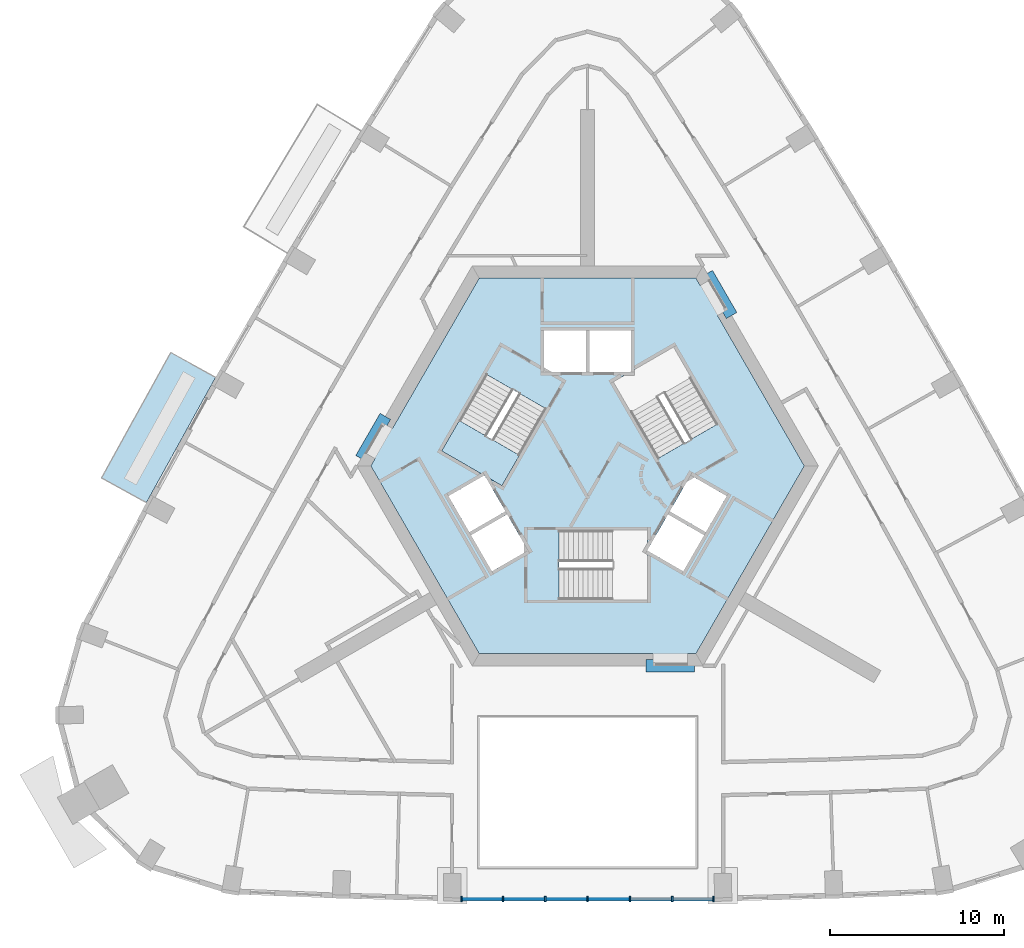
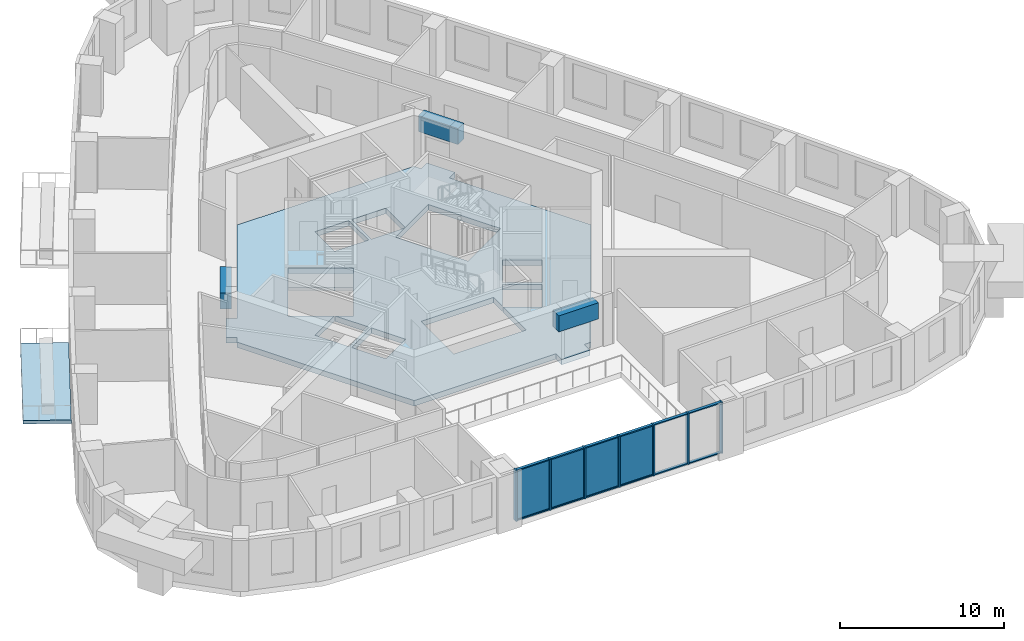
# One storey, part 2 of 13: 19 members, 4 plates, 3 beams, 3 slabs, 2 elements without a shape of their own.
"""IFC4 building model written with IfcOpenShell, lengths in metres."""

import ifcopenshell
import ifcopenshell.guid

model = None  # the IFC model being written
_history = None  # IfcOwnerHistory: only IFC2X3 demands one
_inside = {}  # id of a spatial element -> (the spatial element, [elements in it])
_under = {}  # id of a project, library or spatial element -> (it, [spatial elements below it])
_declared = {}  # id of a project -> (the project, [libraries it declares])
_typed = {}  # id of a type object -> (the type object, [elements of that type])
_made_of = {}  # id of a material, layer set ... -> (it, [elements and type objects made of it])


def new_model(schema):
    """Start an empty IFC model of exactly this schema.

    Asked for "IFC4X3", IfcOpenShell would pick the latest addendum, in which some entities
    have other attributes; the version numbers below select the first issue.
    IFC2X3 requires an IfcOwnerHistory on every rooted entity: one is made here for all.
    """
    global model, _history
    if schema == "IFC4X3":
        model = ifcopenshell.file(schema_version=(4, 3, 0, 0))
    else:
        model = ifcopenshell.file(schema=schema)
    _inside.clear()
    _under.clear()
    _declared.clear()
    _typed.clear()
    _made_of.clear()
    _history = None
    if model.schema == "IFC2X3":
        org = make("IfcOrganization", Name="unknown")
        user = make(
            "IfcPersonAndOrganization",
            ThePerson=make("IfcPerson", FamilyName="unknown"),
            TheOrganization=org,
        )
        app = make(
            "IfcApplication",
            ApplicationDeveloper=org,
            Version="unknown",
            ApplicationFullName="unknown",
            ApplicationIdentifier="unknown",
        )
        _history = make(
            "IfcOwnerHistory",
            OwningUser=user,
            OwningApplication=app,
            ChangeAction="ADDED",
            CreationDate=0,
        )
    return model


def make(cls, **values):
    """One entity of the class cls with the attributes given. An attribute that is None is left unset."""
    return model.create_entity(
        cls, **{name: value for name, value in values.items() if value is not None}
    )


def rooted(cls, **values):
    """An entity with a GlobalId (a new one), such as an element, a storey or a relation."""
    return make(cls, GlobalId=ifcopenshell.guid.new(), OwnerHistory=_history, **values)


def si_unit(unit_type, name, prefix=None):
    """IfcSIUnit, for example si_unit("LENGTHUNIT", "METRE", prefix="MILLI")."""
    return make("IfcSIUnit", UnitType=unit_type, Prefix=prefix, Name=name)


def assignment(units):
    """IfcUnitAssignment: the units of a project."""
    return None if units is None else make("IfcUnitAssignment", Units=units)


def point(xyz):
    """IfcCartesianPoint."""
    return None if xyz is None else make("IfcCartesianPoint", Coordinates=xyz)


def direction(xyz):
    """IfcDirection."""
    return None if xyz is None else make("IfcDirection", DirectionRatios=xyz)


def frame(location, z_axis=None, x_axis=None):
    """IfcAxis2Placement3D, a coordinate frame: its origin and axes. An axis left out is left unset."""
    return make(
        "IfcAxis2Placement3D",
        Location=point(location),
        Axis=direction(z_axis),
        RefDirection=direction(x_axis),
    )


def frame_2d(location, x_axis=None):
    """IfcAxis2Placement2D, a coordinate frame in the plane: its origin and x axis."""
    return make(
        "IfcAxis2Placement2D", Location=point(location), RefDirection=direction(x_axis)
    )


def origin():
    """The frame at (0, 0, 0) with its axes left unset."""
    return frame((0.0, 0.0, 0.0))


def origin_2d():
    """The frame at (0, 0) in the plane with its x axis left unset."""
    return frame_2d((0.0, 0.0))


def place(relative_to, where):
    """IfcLocalPlacement: puts the frame where relative to a parent placement (None: the world)."""
    return make(
        "IfcLocalPlacement", PlacementRelTo=relative_to, RelativePlacement=where
    )


def context(
    kind, dimensions, precision=None, world=None, true_north=None, identifier=None
):
    """IfcGeometricRepresentationContext, for example the 3D "Model" context."""
    return make(
        "IfcGeometricRepresentationContext",
        ContextIdentifier=identifier,
        ContextType=kind,
        CoordinateSpaceDimension=dimensions,
        Precision=precision,
        WorldCoordinateSystem=world,
        TrueNorth=true_north,
    )


def subcontext(parent, identifier, kind, view, scale=None):
    """IfcGeometricRepresentationSubContext, for example "Body" below "Model"."""
    return make(
        "IfcGeometricRepresentationSubContext",
        ContextIdentifier=identifier,
        ContextType=kind,
        ParentContext=parent,
        TargetScale=scale,
        TargetView=view,
    )


def project(units=None, contexts=None):
    """IfcProject with its units and contexts."""
    return rooted(
        "IfcProject",
        Name="project",
        RepresentationContexts=contexts,
        UnitsInContext=assignment(units),
    )


def spatial(cls, under=None, at=None, **own):
    """A site, building, storey or space (cls), placed at a placement, below another one or the project."""
    s = rooted(cls, ObjectPlacement=at, **own)
    if under is not None:
        _under.setdefault(under.id(), (under, []))[1].append(s)
    return s


def polyline(points):
    """IfcPolyline through the points."""
    return make("IfcPolyline", Points=[point(p) for p in points])


def profile(cls, at=None, kind="AREA", **sizes):
    """A parametric profile (cls). Its sizes go by their IFC names, for example OverallWidth=200.0."""
    return make(cls, ProfileType=kind, Position=at, **sizes)


def rectangle(**sizes):
    """IfcRectangleProfileDef."""
    return profile("IfcRectangleProfileDef", **sizes)


def outline(outer, holes=None, kind="AREA"):
    """IfcArbitraryClosedProfileDef: a profile drawn as a closed curve; with holes, ...WithVoids."""
    if holes is None:
        return make("IfcArbitraryClosedProfileDef", ProfileType=kind, OuterCurve=outer)
    return make(
        "IfcArbitraryProfileDefWithVoids",
        ProfileType=kind,
        OuterCurve=outer,
        InnerCurves=holes,
    )


def extrude(swept, where, along, depth):
    """IfcExtrudedAreaSolid: the profile swept, set in the frame where, extruded along a direction by depth."""
    return make(
        "IfcExtrudedAreaSolid",
        SweptArea=swept,
        Position=where,
        ExtrudedDirection=direction(along),
        Depth=depth,
    )


def shape(context_of_items, identifier, shape_type, items):
    """IfcShapeRepresentation: the items that make up one representation, for example the "Body"."""
    return make(
        "IfcShapeRepresentation",
        ContextOfItems=context_of_items,
        RepresentationIdentifier=identifier,
        RepresentationType=shape_type,
        Items=items,
    )


def material(Name=None, Category=None):
    """IfcMaterial."""
    return make("IfcMaterial", Name=Name, Category=Category)


def layer(
    of_material, thickness, ventilated=None, Name=None, Category=None, Priority=None
):
    """IfcMaterialLayer: one layer of a wall or slab, of a material (None: an air gap)."""
    return make(
        "IfcMaterialLayer",
        Material=of_material,
        LayerThickness=thickness,
        IsVentilated=ventilated,
        Name=Name,
        Category=Category,
        Priority=Priority,
    )


def layer_set(layers, Name=None):
    """IfcMaterialLayerSet."""
    return make("IfcMaterialLayerSet", MaterialLayers=layers, LayerSetName=Name)


def material_profile(
    of_material, cross_section, Name=None, Category=None, Priority=None
):
    """IfcMaterialProfile: a cross section and its material."""
    return make(
        "IfcMaterialProfile",
        Name=Name,
        Material=of_material,
        Profile=cross_section,
        Priority=Priority,
        Category=Category,
    )


def profile_set(profiles, Name=None, composite=None):
    """IfcMaterialProfileSet."""
    return make(
        "IfcMaterialProfileSet",
        Name=Name,
        MaterialProfiles=profiles,
        CompositeProfile=composite,
    )


def made_of(thing, what):
    """Note that an element or type object is made of a material, layer set ...; save() writes the relation."""
    if what is not None:
        _made_of.setdefault(what.id(), (what, []))[1].append(thing)
    return thing


def type_object(cls, material=None, **own):
    """A type object (cls), such as IfcWallType, which elements share."""
    return made_of(rooted(cls, **own), material)


def element(
    cls,
    number,
    at=None,
    inside=None,
    cuts=None,
    type_object=None,
    material=None,
    context=None,
    identifier="Body",
    shape_type=None,
    held_by="IfcProductDefinitionShape",
    body=None,
    shapes=None,
    **own,
):
    """One element of the class cls, such as IfcWall. Its Tag is "e" and its number.

    at: its placement. inside: the storey or other place that contains it. cuts: it is an
    opening in that element (IfcRelVoidsElement). A single representation is given by context,
    identifier, shape_type and body (its items); several are given by shapes. held_by: the class
    of the entity that holds the representations. save() writes the other relations.
    """
    e = rooted(cls, Tag="e%d" % number, ObjectPlacement=at, **own)
    if body is not None:
        shapes = [shape(context, identifier, shape_type, body)]
    if shapes is not None:
        e.Representation = make(held_by, Representations=shapes)
    if inside is not None:
        _inside.setdefault(inside.id(), (inside, []))[1].append(e)
    if cuts is not None:
        rooted(
            "IfcRelVoidsElement", RelatingBuildingElement=cuts, RelatedOpeningElement=e
        )
    if type_object is not None:
        _typed.setdefault(type_object.id(), (type_object, []))[1].append(e)
    return made_of(e, material)


def aggregate(whole, parts):
    """IfcRelAggregates: a whole, such as a stair, and the parts it consists of."""
    return rooted("IfcRelAggregates", RelatingObject=whole, RelatedObjects=parts)


def save(model, path):
    """Write the relations noted so far, then the file.

    IfcRelAggregates (storeys below a building ...), IfcRelContainedInSpatialStructure (elements
    in a storey), IfcRelDefinesByType, IfcRelAssociatesMaterial and IfcRelDeclares: one each for
    every whole, place, type object, material and project.
    """
    for whole, parts in _under.values():
        aggregate(whole, parts)
    for where, things in _inside.values():
        rooted(
            "IfcRelContainedInSpatialStructure",
            RelatedElements=things,
            RelatingStructure=where,
        )
    for kind, things in _typed.values():
        rooted("IfcRelDefinesByType", RelatedObjects=things, RelatingType=kind)
    for what, things in _made_of.values():
        rooted("IfcRelAssociatesMaterial", RelatedObjects=things, RelatingMaterial=what)
    for by, libraries in _declared.values():
        rooted("IfcRelDeclares", RelatingContext=by, RelatedDefinitions=libraries)
    model.write(path)


model = new_model("IFC4")

# Units and contexts
model_context = context("Model", 3, precision=1e-05, world=origin(), true_north=direction((0.0, 1.0)))
body_context = subcontext(model_context, "Body", "Model", "MODEL_VIEW")
ifc_project = project(units=[si_unit("LENGTHUNIT", "METRE"), si_unit("AREAUNIT", "SQUARE_METRE"), si_unit("VOLUMEUNIT", "CUBIC_METRE"), si_unit("PLANEANGLEUNIT", "RADIAN"), si_unit("MASSUNIT", "GRAM", prefix="KILO")], contexts=[model_context])

# Site, building, storey
site_placement = place(None, origin())
site = spatial("IfcSite", under=ifc_project, at=site_placement, CompositionType="ELEMENT")
building_placement = place(site_placement, origin())
building = spatial("IfcBuilding", under=site, at=building_placement, Name="Entoto Arch Interchange Tower", CompositionType="ELEMENT")
storey_placement = place(building_placement, frame((0.0, 0.0, 210.800048828125)))
storey = spatial("IfcBuildingStorey", under=building, at=storey_placement, Name="L47", CompositionType="ELEMENT", Elevation=210.800048828125)

# Beams
ifc_material_1 = material(Name="Concrete C50/60", Category="concrete")
ifc_material_profile_1 = material_profile(ifc_material_1, rectangle(XDim=0.699951171875, YDim=1.199951171875, at=origin_2d()))
ifc_profile_set_1 = profile_set([ifc_material_profile_1], Name="Concrete C50/60")
beam_type = type_object("IfcBeamType", Name="Coupling beam RC 700x1200 C50/60", PredefinedType="BEAM", material=ifc_profile_set_1)
for number, where, z_axis, x_axis, name in (
    (1, (8.283935546875, 11.152099609375, 3.0), (-0.500135180047, 0.865947343479, 0.0), (-0.865947343479, -0.500135180047, 0.0), "Coupling beam NE L47"),
    (2, (-11.634033203125, 5.347900390625, 3.0), (-0.500135180047, -0.865947343479, 0.0), (0.865947343479, -0.500135180047, 0.0), "Coupling beam NW L47"),
):
    element("IfcBeam", number, at=place(storey_placement, frame(where, z_axis=z_axis, x_axis=x_axis)), inside=storey, type_object=beam_type, Name=name, PredefinedType="BEAM", context=body_context, shape_type="SweptSolid", body=[
        extrude(rectangle(XDim=0.699951171875, YDim=1.199951171875, at=origin_2d()), origin(), (0.0, 0.0, 1.0), 2.799072265625),
    ])
beam_placement = place(storey_placement, frame((3.35009765625, -9.0, 3.0), z_axis=(1.0, 0.0, 0.0), x_axis=(0.0, 1.0, 0.0)))
element("IfcBeam", 3, at=beam_placement, inside=storey, type_object=beam_type, Name="Coupling beam S L47", PredefinedType="BEAM", context=body_context, shape_type="SweptSolid", body=[
    extrude(rectangle(XDim=0.699951171875, YDim=1.199951171875, at=origin_2d()), origin(), (0.0, 0.0, 1.0), 2.7998046875),
])

# Curtain wall, members
ifc_material_2 = material(Name="Aluminium, anodised", Category="aluminium")
curtain_wall_type = type_object("IfcCurtainWallType", Name="CURTAIN WALL ATRIUM", PredefinedType="NOTDEFINED", material=ifc_material_2)
curtain_wall_placement = place(storey_placement, origin())
curtain_wall = element("IfcCurtainWall", 4, at=curtain_wall_placement, inside=storey, type_object=curtain_wall_type, Name="Atrium glazing S-03 L47", PredefinedType="NOTDEFINED")
ifc_material_profile_2 = material_profile(ifc_material_2, rectangle(XDim=0.300048828125, YDim=0.10009765625, at=origin_2d()))
ifc_profile_set_2 = profile_set([ifc_material_profile_2], Name="Aluminium, anodised")
member_type_1 = type_object("IfcMemberType", Name="MULLION ATRIUM 100x300", PredefinedType="MULLION", material=ifc_profile_set_2)
member_1_placement = place(storey_placement, frame((-7.2490234375, -22.4189453125, 0.0), z_axis=(0.0, 0.0, 1.0), x_axis=(0.0, 1.0, 0.0)))
member_1 = element("IfcMember", 5, at=member_1_placement, type_object=member_type_1, Name="CWA mullion 1", PredefinedType="MULLION", context=body_context, shape_type="SweptSolid", body=[
    extrude(rectangle(XDim=0.300048828125, YDim=0.10009765625, at=origin_2d()), origin(), (0.0, 0.0, 1.0), 3.800048828125),
])
member_2_placement = place(storey_placement, frame((-4.865966796875, -22.4189453125, 0.0), z_axis=(0.0, 0.0, 1.0), x_axis=(0.0, 1.0, 0.0)))
member_2 = element("IfcMember", 6, at=member_2_placement, type_object=member_type_1, Name="CWA mullion 2", PredefinedType="MULLION", context=body_context, shape_type="SweptSolid", body=[
    extrude(rectangle(XDim=0.300048828125, YDim=0.10009765625, at=origin_2d()), origin(), (0.0, 0.0, 1.0), 3.800048828125),
])
member_3_placement = place(storey_placement, frame((-2.43310546875, -22.4189453125, 0.0), z_axis=(0.0, 0.0, 1.0), x_axis=(0.0, 1.0, 0.0)))
member_3 = element("IfcMember", 7, at=member_3_placement, type_object=member_type_1, Name="CWA mullion 3", PredefinedType="MULLION", context=body_context, shape_type="SweptSolid", body=[
    extrude(rectangle(XDim=0.300048828125, YDim=0.10009765625, at=origin_2d()), origin(), (0.0, 0.0, 1.0), 3.800048828125),
])
member_4_placement = place(storey_placement, frame((0.0, -22.4189453125, 0.0), z_axis=(0.0, 0.0, 1.0), x_axis=(0.0, 1.0, 0.0)))
member_4 = element("IfcMember", 8, at=member_4_placement, type_object=member_type_1, Name="CWA mullion 4", PredefinedType="MULLION", context=body_context, shape_type="SweptSolid", body=[
    extrude(rectangle(XDim=0.300048828125, YDim=0.10009765625, at=origin_2d()), origin(), (0.0, 0.0, 1.0), 3.800048828125),
])
member_5_placement = place(storey_placement, frame((2.43310546875, -22.4189453125, 0.0), z_axis=(0.0, 0.0, 1.0), x_axis=(0.0, 1.0, 0.0)))
member_5 = element("IfcMember", 9, at=member_5_placement, type_object=member_type_1, Name="CWA mullion 5", PredefinedType="MULLION", context=body_context, shape_type="SweptSolid", body=[
    extrude(rectangle(XDim=0.300048828125, YDim=0.10009765625, at=origin_2d()), origin(), (0.0, 0.0, 1.0), 3.800048828125),
])
member_6_placement = place(storey_placement, frame((4.865966796875, -22.4189453125, 0.0), z_axis=(0.0, 0.0, 1.0), x_axis=(0.0, 1.0, 0.0)))
member_6 = element("IfcMember", 10, at=member_6_placement, type_object=member_type_1, Name="CWA mullion 6", PredefinedType="MULLION", context=body_context, shape_type="SweptSolid", body=[
    extrude(rectangle(XDim=0.300048828125, YDim=0.10009765625, at=origin_2d()), origin(), (0.0, 0.0, 1.0), 3.800048828125),
])
member_7_placement = place(storey_placement, frame((7.2490234375, -22.4189453125, 0.0), z_axis=(0.0, 0.0, 1.0), x_axis=(0.0, 1.0, 0.0)))
member_7 = element("IfcMember", 11, at=member_7_placement, type_object=member_type_1, Name="CWA mullion 7", PredefinedType="MULLION", context=body_context, shape_type="SweptSolid", body=[
    extrude(rectangle(XDim=0.300048828125, YDim=0.10009765625, at=origin_2d()), origin(), (0.0, 0.0, 1.0), 3.800048828125),
])
ifc_material_profile_3 = material_profile(ifc_material_2, rectangle(XDim=0.199951171875, YDim=0.080078125, at=origin_2d()))
ifc_profile_set_3 = profile_set([ifc_material_profile_3], Name="Aluminium, anodised")
member_type_2 = type_object("IfcMemberType", Name="TRANSOM ATRIUM 80x200", PredefinedType="USERDEFINED", material=ifc_profile_set_3)
member_8_placement = place(storey_placement, frame((-7.198974609375, -22.4189453125, 0.0400390625), z_axis=(1.0, 0.0, 0.0), x_axis=(0.0, 1.0, 0.0)))
member_8 = element("IfcMember", 12, at=member_8_placement, type_object=member_type_2, Name="CWA transom 1.1", ObjectType="TRANSOM", PredefinedType="USERDEFINED", context=body_context, shape_type="SweptSolid", body=[
    extrude(rectangle(XDim=0.199951171875, YDim=0.080078125, at=origin_2d()), origin(), (0.0, 0.0, 1.0), 2.282958984375),
])
member_9_placement = place(storey_placement, frame((-7.198974609375, -22.4189453125, 3.760009765625), z_axis=(1.0, 0.0, 0.0), x_axis=(0.0, 1.0, 0.0)))
member_9 = element("IfcMember", 13, at=member_9_placement, type_object=member_type_2, Name="CWA transom 1.2", ObjectType="TRANSOM", PredefinedType="USERDEFINED", context=body_context, shape_type="SweptSolid", body=[
    extrude(rectangle(XDim=0.199951171875, YDim=0.080078125, at=origin_2d()), origin(), (0.0, 0.0, 1.0), 2.282958984375),
])
member_10_placement = place(storey_placement, frame((-4.81591796875, -22.4189453125, 0.0400390625), z_axis=(1.0, 0.0, 0.0), x_axis=(0.0, 1.0, 0.0)))
member_10 = element("IfcMember", 14, at=member_10_placement, type_object=member_type_2, Name="CWA transom 2.1", ObjectType="TRANSOM", PredefinedType="USERDEFINED", context=body_context, shape_type="SweptSolid", body=[
    extrude(rectangle(XDim=0.199951171875, YDim=0.080078125, at=origin_2d()), origin(), (0.0, 0.0, 1.0), 2.3330078125),
])
member_11_placement = place(storey_placement, frame((-4.81591796875, -22.4189453125, 3.760009765625), z_axis=(1.0, 0.0, 0.0), x_axis=(0.0, 1.0, 0.0)))
member_11 = element("IfcMember", 15, at=member_11_placement, type_object=member_type_2, Name="CWA transom 2.2", ObjectType="TRANSOM", PredefinedType="USERDEFINED", context=body_context, shape_type="SweptSolid", body=[
    extrude(rectangle(XDim=0.199951171875, YDim=0.080078125, at=origin_2d()), origin(), (0.0, 0.0, 1.0), 2.3330078125),
])
member_12_placement = place(storey_placement, frame((-2.383056640625, -22.4189453125, 0.0400390625), z_axis=(1.0, 0.0, 0.0), x_axis=(0.0, 1.0, 0.0)))
member_12 = element("IfcMember", 16, at=member_12_placement, type_object=member_type_2, Name="CWA transom 3.1", ObjectType="TRANSOM", PredefinedType="USERDEFINED", context=body_context, shape_type="SweptSolid", body=[
    extrude(rectangle(XDim=0.199951171875, YDim=0.080078125, at=origin_2d()), origin(), (0.0, 0.0, 1.0), 2.3330078125),
])
member_13_placement = place(storey_placement, frame((-2.383056640625, -22.4189453125, 3.760009765625), z_axis=(1.0, 0.0, 0.0), x_axis=(0.0, 1.0, 0.0)))
member_13 = element("IfcMember", 17, at=member_13_placement, type_object=member_type_2, Name="CWA transom 3.2", ObjectType="TRANSOM", PredefinedType="USERDEFINED", context=body_context, shape_type="SweptSolid", body=[
    extrude(rectangle(XDim=0.199951171875, YDim=0.080078125, at=origin_2d()), origin(), (0.0, 0.0, 1.0), 2.3330078125),
])
member_14_placement = place(storey_placement, frame((0.050048828125, -22.4189453125, 0.0400390625), z_axis=(1.0, 0.0, 0.0), x_axis=(0.0, 1.0, 0.0)))
member_14 = element("IfcMember", 18, at=member_14_placement, type_object=member_type_2, Name="CWA transom 4.1", ObjectType="TRANSOM", PredefinedType="USERDEFINED", context=body_context, shape_type="SweptSolid", body=[
    extrude(rectangle(XDim=0.199951171875, YDim=0.080078125, at=origin_2d()), origin(), (0.0, 0.0, 1.0), 2.3330078125),
])
member_15_placement = place(storey_placement, frame((0.050048828125, -22.4189453125, 3.760009765625), z_axis=(1.0, 0.0, 0.0), x_axis=(0.0, 1.0, 0.0)))
member_15 = element("IfcMember", 19, at=member_15_placement, type_object=member_type_2, Name="CWA transom 4.2", ObjectType="TRANSOM", PredefinedType="USERDEFINED", context=body_context, shape_type="SweptSolid", body=[
    extrude(rectangle(XDim=0.199951171875, YDim=0.080078125, at=origin_2d()), origin(), (0.0, 0.0, 1.0), 2.3330078125),
])
member_16_placement = place(storey_placement, frame((2.48291015625, -22.4189453125, 0.0400390625), z_axis=(1.0, 0.0, 0.0), x_axis=(0.0, 1.0, 0.0)))
member_16 = element("IfcMember", 20, at=member_16_placement, type_object=member_type_2, Name="CWA transom 5.1", ObjectType="TRANSOM", PredefinedType="USERDEFINED", context=body_context, shape_type="SweptSolid", body=[
    extrude(rectangle(XDim=0.199951171875, YDim=0.080078125, at=origin_2d()), origin(), (0.0, 0.0, 1.0), 2.3330078125),
])
member_17_placement = place(storey_placement, frame((2.48291015625, -22.4189453125, 3.760009765625), z_axis=(1.0, 0.0, 0.0), x_axis=(0.0, 1.0, 0.0)))
member_17 = element("IfcMember", 21, at=member_17_placement, type_object=member_type_2, Name="CWA transom 5.2", ObjectType="TRANSOM", PredefinedType="USERDEFINED", context=body_context, shape_type="SweptSolid", body=[
    extrude(rectangle(XDim=0.199951171875, YDim=0.080078125, at=origin_2d()), origin(), (0.0, 0.0, 1.0), 2.3330078125),
])
member_18_placement = place(storey_placement, frame((4.916015625, -22.4189453125, 0.0400390625), z_axis=(1.0, 0.0, 0.0), x_axis=(0.0, 1.0, 0.0)))
member_18 = element("IfcMember", 22, at=member_18_placement, type_object=member_type_2, Name="CWA transom 6.1", ObjectType="TRANSOM", PredefinedType="USERDEFINED", context=body_context, shape_type="SweptSolid", body=[
    extrude(rectangle(XDim=0.199951171875, YDim=0.080078125, at=origin_2d()), origin(), (0.0, 0.0, 1.0), 2.282958984375),
])
member_19_placement = place(storey_placement, frame((4.916015625, -22.4189453125, 3.760009765625), z_axis=(1.0, 0.0, 0.0), x_axis=(0.0, 1.0, 0.0)))
member_19 = element("IfcMember", 23, at=member_19_placement, type_object=member_type_2, Name="CWA transom 6.2", ObjectType="TRANSOM", PredefinedType="USERDEFINED", context=body_context, shape_type="SweptSolid", body=[
    extrude(rectangle(XDim=0.199951171875, YDim=0.080078125, at=origin_2d()), origin(), (0.0, 0.0, 1.0), 2.282958984375),
])

# Slabs
ifc_material_3 = material(Name="Board-marked precast concrete C50/60", Category="concrete")
ifc_layer_1 = layer(ifc_material_3, 0.25)
ifc_layer_set_1 = layer_set([ifc_layer_1], Name="Board-marked precast concrete C50/60")
slab_type_1 = type_object("IfcSlabType", Name="BALCONY DECK PRECAST 250", PredefinedType="FLOOR", material=ifc_layer_set_1)
slab_1_placement = place(storey_placement, frame((0.0, 0.0, -0.25)))
element("IfcSlab", 24, at=slab_1_placement, inside=storey, type_object=slab_type_1, Name="Planted balcony NW-04 L47", PredefinedType="FLOOR", context=body_context, shape_type="SweptSolid", body=[
    extrude(outline(polyline([(-21.39892578125, 7.596923828125), (-25.383056640625, 0.385009765625), (-27.965087890625, 1.81103515625), (-23.98095703125, 9.02294921875), (-21.39892578125, 7.596923828125)])), origin(), (0.0, 0.0, 1.0), 0.25),
])
ifc_material_4 = material(Name="Concrete C40/50", Category="concrete")
ifc_layer_2 = layer(ifc_material_4, 0.39990234375)
ifc_layer_set_2 = layer_set([ifc_layer_2], Name="Concrete C40/50")
slab_type_2 = type_object("IfcSlabType", Name="Core floor slab 400 C40/50", PredefinedType="FLOOR", material=ifc_layer_set_2)
slab_2_placement = place(storey_placement, frame((0.0, 0.0, -0.400146484375)))
element("IfcSlab", 25, at=slab_2_placement, inside=storey, type_object=slab_type_2, Name="Core floor slab L47", PredefinedType="FLOOR", context=body_context, shape_type="SweptSolid", body=[
    extrude(outline(polyline([(5.75, -9.0), (3.75, -9.0), (3.75, -8.300048828125), (-6.235107421875, -8.300048828125), (-12.470947265625, 2.5), (-12.22802734375, 2.919921875), (-12.833984375, 3.27001953125), (-11.833984375, 5.001953125), (-11.22802734375, 4.652099609375), (-6.235107421875, 13.300048828125), (6.235107421875, 13.300048828125), (6.47802734375, 12.8798828125), (7.083984375, 13.22998046875), (8.083984375, 11.498046875), (7.47802734375, 11.14794921875), (12.470947265625, 2.5), (6.235107421875, -8.300048828125), (5.75, -8.300048828125), (5.75, -9.0)]), holes=[polyline([(-1.64990234375, -5.199951171875), (3.449951171875, -5.199951171875), (3.449951171875, -2.3779296875), (5.5048828125, -3.56494140625), (6.705078125, -1.487060546875), (4.626953125, -0.287109375), (3.449951171875, -2.324951171875), (3.449951171875, -1.199951171875), (-1.64990234375, -1.199951171875), (-1.64990234375, -5.199951171875)]), polyline([(-4.626953125, -0.287109375), (-6.705078125, -1.487060546875), (-5.5048828125, -3.56494140625), (-3.427001953125, -2.364990234375), (-4.626953125, -0.287109375)]), polyline([(-5.904052734375, 1.925048828125), (-4.928955078125, 1.362060546875), (-2.37890625, 5.779052734375), (-5.843017578125, 7.779052734375), (-8.39306640625, 3.362060546875), (-5.949951171875, 1.951904296875), (-8.0048828125, 0.764892578125), (-6.804931640625, -1.31298828125), (-4.72705078125, -0.113037109375), (-5.904052734375, 1.925048828125)]), polyline([(4.72705078125, -0.113037109375), (6.804931640625, -1.31298828125), (8.0048828125, 0.764892578125), (5.927001953125, 1.965087890625), (4.72705078125, -0.113037109375)]), polyline([(2.5, 7.927001953125), (2.5, 10.300048828125), (0.10009765625, 10.300048828125), (0.10009765625, 7.89990234375), (2.452880859375, 7.89990234375), (1.47900390625, 7.337890625), (4.029052734375, 2.9208984375), (7.492919921875, 4.9208984375), (4.943115234375, 9.337890625), (2.5, 7.927001953125)]), polyline([(-2.5, 7.89990234375), (-0.10009765625, 7.89990234375), (-0.10009765625, 10.300048828125), (-2.5, 10.300048828125), (-2.5, 7.89990234375)])]), origin(), (0.0, 0.0, 1.0), 0.400146484375),
])

# Stair, slab
stair_type = type_object("IfcStairType", Name="EXIT STAIR RC 1800", PredefinedType="HALF_TURN_STAIR", material=ifc_material_4)
stair_placement = place(storey_placement, origin())
stair = element("IfcStair", 26, at=stair_placement, inside=storey, type_object=stair_type, Name="L47 Exit stair NW", PredefinedType="HALF_TURN_STAIR")
ifc_layer_3 = layer(ifc_material_4, 0.199951171875)
ifc_layer_set_3 = layer_set([ifc_layer_3], Name="Concrete C40/50")
slab_type_3 = type_object("IfcSlabType", Name="EXIT STAIR LANDING RC 200", PredefinedType="LANDING", material=ifc_layer_set_3)
slab_3_placement = place(storey_placement, frame((0.0, 0.0, 1.89990234375)))
slab_3 = element("IfcSlab", 27, at=slab_3_placement, type_object=slab_type_3, Name="ST-NW landing 1", PredefinedType="LANDING", context=body_context, shape_type="SweptSolid", body=[
    extrude(outline(polyline([(-7.38330078125, 5.111572265625), (-8.393310546875, 3.3623046875), (-4.92919921875, 1.3623046875), (-3.919189453125, 3.111572265625), (-7.38330078125, 5.111572265625)])), origin(), (0.0, 0.0, 1.0), 0.199951171875),
])
aggregate(stair, [slab_3])

# Plate
ifc_material_5 = material(Name="Clear glass, low-e double glazed", Category="glass")
ifc_layer_4 = layer(ifc_material_5, 0.031982421875)
ifc_layer_set_4 = layer_set([ifc_layer_4], Name="Clear glass, low-e double glazed")
plate_type = type_object("IfcPlateType", Name="GLAZING PANEL ATRIUM 32", PredefinedType="CURTAIN_PANEL", material=ifc_layer_set_4)
plate_1_placement = place(storey_placement, frame((-6.0576171875, -22.4189453125, 0.080078125), z_axis=(0.0, 0.0, 1.0), x_axis=(1.0, 0.0, 0.0)))
plate_1 = element("IfcPlate", 28, at=plate_1_placement, type_object=plate_type, Name="CWA panel 1.1", PredefinedType="CURTAIN_PANEL", context=body_context, shape_type="SweptSolid", body=[
    extrude(rectangle(XDim=2.282958984375, YDim=0.031982421875, at=origin_2d()), origin(), (0.0, 0.0, 1.0), 3.639892578125),
])

plate_2_placement = place(storey_placement, frame((-3.6494140625, -22.4189453125, 0.080078125), z_axis=(0.0, 0.0, 1.0), x_axis=(1.0, 0.0, 0.0)))
plate_2 = element("IfcPlate", 29, at=plate_2_placement, type_object=plate_type, Name="CWA panel 2.1", PredefinedType="CURTAIN_PANEL", context=body_context, shape_type="SweptSolid", body=[
    extrude(rectangle(XDim=2.3330078125, YDim=0.031982421875, at=origin_2d()), origin(), (0.0, 0.0, 1.0), 3.639892578125),
])

plate_3_placement = place(storey_placement, frame((-1.216552734375, -22.4189453125, 0.080078125), z_axis=(0.0, 0.0, 1.0), x_axis=(1.0, 0.0, 0.0)))
plate_3 = element("IfcPlate", 30, at=plate_3_placement, type_object=plate_type, Name="CWA panel 3.1", PredefinedType="CURTAIN_PANEL", context=body_context, shape_type="SweptSolid", body=[
    extrude(rectangle(XDim=2.3330078125, YDim=0.031982421875, at=origin_2d()), origin(), (0.0, 0.0, 1.0), 3.639892578125),
])

plate_4_placement = place(storey_placement, frame((1.216552734375, -22.4189453125, 0.080078125), z_axis=(0.0, 0.0, 1.0), x_axis=(1.0, 0.0, 0.0)))
plate_4 = element("IfcPlate", 31, at=plate_4_placement, type_object=plate_type, Name="CWA panel 4.1", PredefinedType="CURTAIN_PANEL", context=body_context, shape_type="SweptSolid", body=[
    extrude(rectangle(XDim=2.3330078125, YDim=0.031982421875, at=origin_2d()), origin(), (0.0, 0.0, 1.0), 3.639892578125),
])

aggregate(curtain_wall, [member_1, member_2, member_3, member_4, member_5, member_6, member_7, member_8, member_9, plate_1, member_10, member_11, plate_2, member_12, member_13, plate_3, member_14, member_15, plate_4, member_16, member_17, member_18, member_19])

save(model, "model.ifc")
